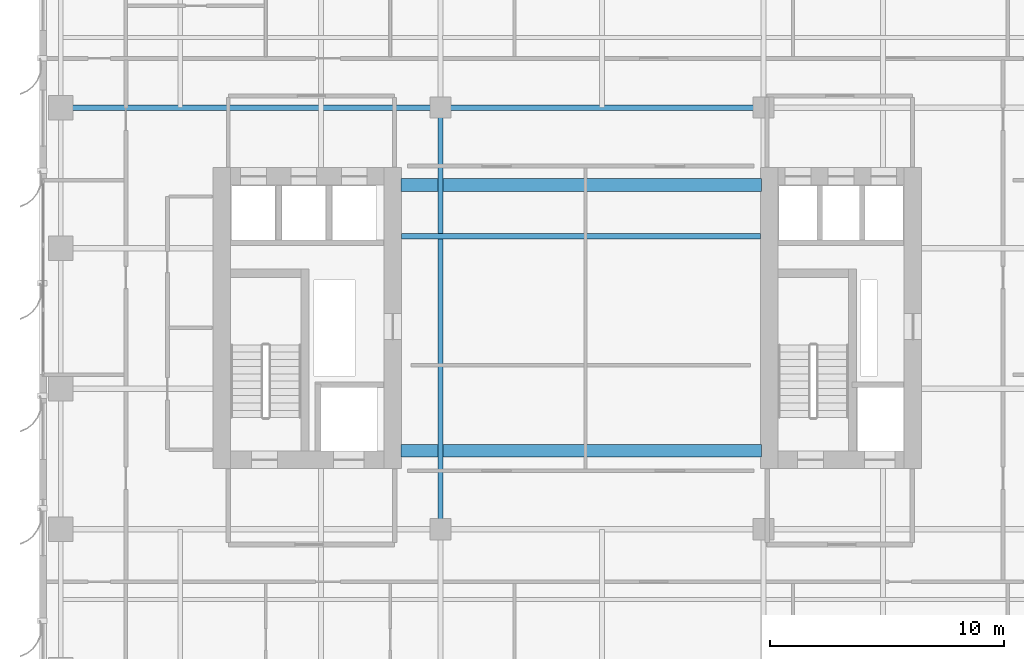
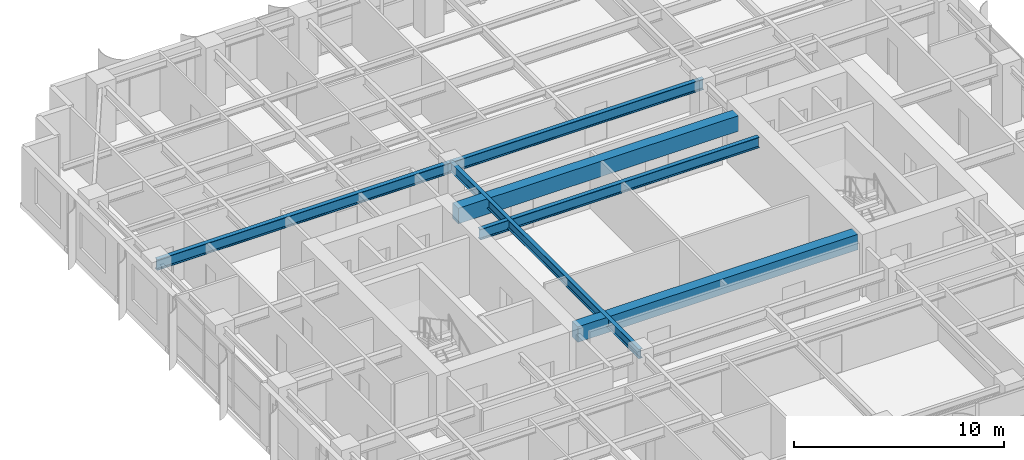
# One storey, part 8 of 26: 6 beams.
"""IFC4 building model written with IfcOpenShell, lengths in metres."""

from ifc_helpers import new_model, si_unit, direction, frame, origin, origin_2d, place, context, subcontext, project, spatial, rectangle, i_section, extrude, source, transform, mapped, material, material_profile, profile_set, type_object, element, save


model = new_model("IFC4")

# Units and contexts
model_context = context("Model", 3, precision=1e-05, world=origin(), true_north=direction((0.0, 1.0)))
body_context = subcontext(model_context, "Body", "Model", "MODEL_VIEW")
ifc_project = project(units=[si_unit("LENGTHUNIT", "METRE"), si_unit("AREAUNIT", "SQUARE_METRE"), si_unit("VOLUMEUNIT", "CUBIC_METRE"), si_unit("PLANEANGLEUNIT", "RADIAN"), si_unit("MASSUNIT", "GRAM", prefix="KILO")], contexts=[model_context])

# Site, building, storey
site_placement = place(None, origin())
site = spatial("IfcSite", under=ifc_project, at=site_placement, CompositionType="ELEMENT")
building_placement = place(site_placement, origin())
building = spatial("IfcBuilding", under=site, at=building_placement, Name="Khoralis Quay Care Tower", CompositionType="ELEMENT")
storey_placement = place(building_placement, frame((0.0, 0.0, 126.89990234375)))
storey = spatial("IfcBuildingStorey", under=building, at=storey_placement, Name="L33", CompositionType="ELEMENT", Elevation=126.89990234375)

# Beams
ifc_material_1 = material(Name="Concrete C65/80", Category="concrete")
ifc_material_profile_1 = material_profile(ifc_material_1, rectangle(XDim=0.550048828125, YDim=0.89990234375, at=origin_2d()), Name="Concrete C65/80")
ifc_profile_set_1 = profile_set([ifc_material_profile_1], Name="Concrete C65/80")
beam_type_1 = type_object("IfcBeamType", Name="CB-RC550X900", PredefinedType="LINTEL", material=ifc_profile_set_1)
shared_shape_1 = source(origin(), body_context, "Body", "SweptSolid", [
    extrude(rectangle(XDim=0.550048828125, YDim=0.89990234375, at=origin_2d()), origin(), (0.0, 0.0, 1.0), 15.380126953125),
])
for number, where, z_axis, x_axis, name in (
    (1, (15.419921875, 15.35009765625, 2.89013671875), (1.0, 0.0, 0.0), (0.0, 1.0, 0.0), "L33 South Core Coupling Lintel"),
    (2, (15.419921875, 26.699951171875, 2.89013671875), (1.0, 0.0, 0.0), (0.0, 1.0, 0.0), "L33 North Core Coupling Lintel"),
):
    element("IfcBeam", number, at=place(storey_placement, frame(where, z_axis=z_axis, x_axis=x_axis)), inside=storey, type_object=beam_type_1, Name=name, PredefinedType="LINTEL", context=body_context, shape_type="MappedRepresentation", body=[
        mapped(shared_shape_1, transform((0.0, 0.0, 0.0), scale=1.0)),
    ])
ifc_material_2 = material(Name="Steel S355", Category="steel")
ifc_material_profile_2 = material_profile(ifc_material_2, i_section(OverallWidth=0.22998046875, OverallDepth=0.616943359375, WebThickness=0.01318359375, FlangeThickness=0.022216796875, FilletRadius=0.01806640625, at=origin_2d()), Name="Steel S355")
ifc_profile_set_2 = profile_set([ifc_material_profile_2], Name="Steel S355")
beam_type_2 = type_object("IfcBeamType", Name="BM-W610X140", PredefinedType="BEAM", material=ifc_profile_set_2)
shared_shape_2 = source(origin(), body_context, "Body", "SweptSolid", [
    extrude(i_section(OverallWidth=0.22998046875, OverallDepth=0.616943359375, WebThickness=0.01318359375, FlangeThickness=0.022216796875, FilletRadius=0.01806640625, at=origin_2d()), origin(), (0.0, 0.0, 1.0), 16.2001953125),
])
beam_1_placement = place(storey_placement, frame((0.89990234375, 30.0, 3.031494140625), z_axis=(1.0, 0.0, 0.0), x_axis=(0.0, 1.0, 0.0)))
element("IfcBeam", 3, at=beam_1_placement, inside=storey, type_object=beam_type_2, Name="BM-TGXW-L33-300", PredefinedType="BEAM", context=body_context, shape_type="MappedRepresentation", body=[
    mapped(shared_shape_2, transform((0.0, 0.0, 0.0), scale=1.0)),
])
shared_shape_3 = source(origin(), body_context, "Body", "SweptSolid", [
    extrude(i_section(OverallWidth=0.22998046875, OverallDepth=0.616943359375, WebThickness=0.01318359375, FlangeThickness=0.022216796875, FilletRadius=0.01806640625, at=origin_2d()), origin(), (0.0, 0.0, 1.0), 13.7998046875),
])
beam_2_placement = place(storey_placement, frame((17.10009765625, 30.0, 3.031494140625), z_axis=(1.0, 0.0, 0.0), x_axis=(0.0, 1.0, 0.0)))
element("IfcBeam", 4, at=beam_2_placement, inside=storey, type_object=beam_type_2, Name="BM-TGCC-L33-300", PredefinedType="BEAM", context=body_context, shape_type="MappedRepresentation", body=[
    mapped(shared_shape_3, transform((0.0, 0.0, 0.0), scale=1.0)),
])
shared_shape_4 = source(origin(), body_context, "Body", "SweptSolid", [
    extrude(i_section(OverallWidth=0.22998046875, OverallDepth=0.616943359375, WebThickness=0.01318359375, FlangeThickness=0.022216796875, FilletRadius=0.01806640625, at=origin_2d()), origin(), (0.0, 0.0, 1.0), 15.323974609375),
])
beam_3_placement = place(storey_placement, frame((15.447998046875, 24.5, 3.031494140625), z_axis=(1.0, 0.0, 0.0), x_axis=(0.0, 1.0, 0.0)))
element("IfcBeam", 5, at=beam_3_placement, inside=storey, type_object=beam_type_2, Name="BM-TGCC-L33-245", PredefinedType="BEAM", context=body_context, shape_type="MappedRepresentation", body=[
    mapped(shared_shape_4, transform((0.0, 0.0, 0.0), scale=1.0)),
])
ifc_material_profile_3 = material_profile(ifc_material_2, i_section(OverallWidth=0.2119140625, OverallDepth=0.5439453125, WebThickness=0.01318359375, FlangeThickness=0.021240234375, FilletRadius=0.01611328125, at=origin_2d()), Name="Steel S355")
ifc_profile_set_3 = profile_set([ifc_material_profile_3], Name="Steel S355")
beam_type_3 = type_object("IfcBeamType", Name="BM-W530X123", PredefinedType="BEAM", material=ifc_profile_set_3)
shared_shape_5 = source(origin(), body_context, "Body", "SweptSolid", [
    extrude(i_section(OverallWidth=0.2119140625, OverallDepth=0.5439453125, WebThickness=0.01318359375, FlangeThickness=0.021240234375, FilletRadius=0.01611328125, at=origin_2d()), origin(), (0.0, 0.0, 1.0), 18.0),
])
beam_4_placement = place(storey_placement, frame((17.10009765625, 12.0, 3.068115234375), z_axis=(0.0, 1.0, 0.0), x_axis=(-1.0, 0.0, 0.0)))
element("IfcBeam", 6, at=beam_4_placement, inside=storey, type_object=beam_type_3, Name="BM-TGSW-L33", PredefinedType="BEAM", context=body_context, shape_type="MappedRepresentation", body=[
    mapped(shared_shape_5, transform((0.0, 0.0, 0.0), scale=1.0)),
])

save(model, "model.ifc")
